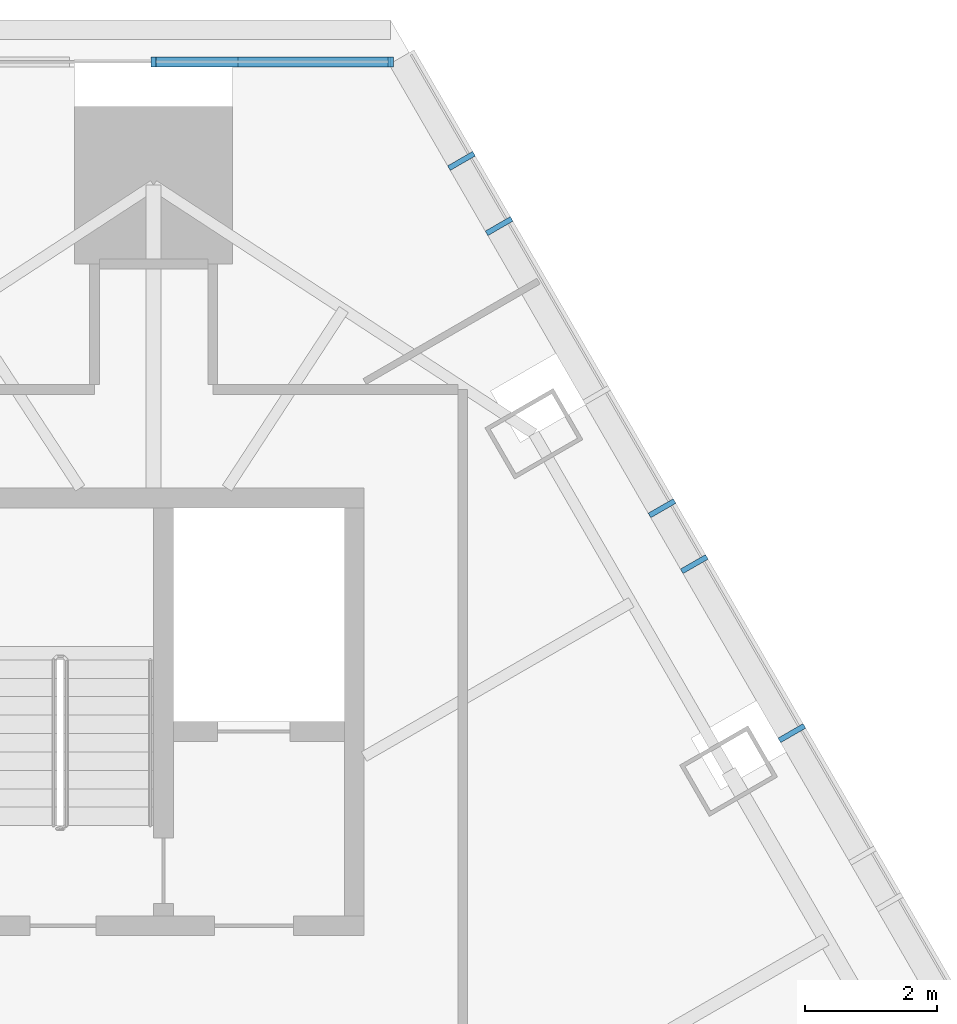
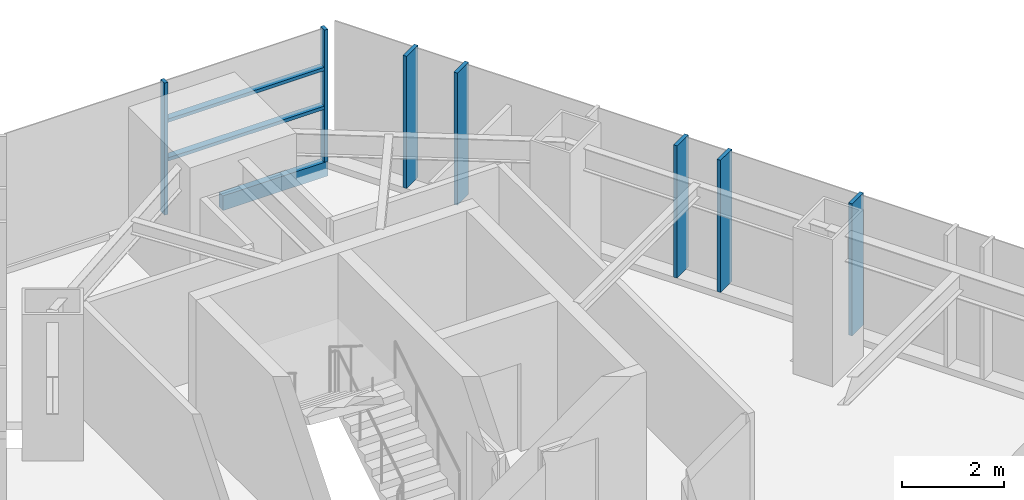
# One storey, part 6 of 15: 10 members, 2 elements without a shape of their own.
"""IFC4 building model written with IfcOpenShell, lengths in metres."""

from ifc_helpers import new_model, si_unit, direction, frame, origin, origin_2d, place, context, subcontext, project, spatial, rectangle, extrude, material, layer, layer_set, material_profile, profile_set, type_object, element, aggregate, save


model = new_model("IFC4")

# Units and contexts
model_context = context("Model", 3, precision=1e-05, world=origin(), true_north=direction((0.0, 1.0)))
body_context = subcontext(model_context, "Body", "Model", "MODEL_VIEW")
ifc_project = project(units=[si_unit("LENGTHUNIT", "METRE"), si_unit("AREAUNIT", "SQUARE_METRE"), si_unit("VOLUMEUNIT", "CUBIC_METRE"), si_unit("PLANEANGLEUNIT", "RADIAN"), si_unit("MASSUNIT", "GRAM", prefix="KILO")], contexts=[model_context])

# Site, building, storey
site_placement = place(None, origin())
site = spatial("IfcSite", under=ifc_project, at=site_placement, CompositionType="ELEMENT")
building_placement = place(site_placement, origin())
building = spatial("IfcBuilding", under=site, at=building_placement, Name="Firuza Gate Tower and Library", CompositionType="ELEMENT")
storey_placement = place(building_placement, frame((0.0, 0.0, 309.10009765625)))
storey = spatial("IfcBuildingStorey", under=building, at=storey_placement, Name="L75", CompositionType="ELEMENT", Elevation=309.10009765625)

# Curtain wall, members
ifc_material_1 = material(Name="Aluminium 6063-T6", Category="aluminium")
ifc_layer_1 = layer(ifc_material_1, 0.14990234375)
ifc_layer_set_1 = layer_set([ifc_layer_1], Name="Corner curtain wall, chamfers")
curtain_wall_type_1 = type_object("IfcCurtainWallType", Name="Corner curtain wall, chamfers", PredefinedType="NOTDEFINED", material=ifc_layer_set_1)
placement = place(storey_placement, origin())
curtain_wall_1 = element("IfcCurtainWall", 1, at=placement, inside=storey, type_object=curtain_wall_type_1, Name="CW4 L75 N corner", PredefinedType="NOTDEFINED")
ifc_material_2 = material(Name="Aluminium 6063-T6", Category="aluminium")
ifc_material_profile_1 = material_profile(ifc_material_2, rectangle(XDim=0.14990234375, YDim=0.080078125, at=origin_2d()))
ifc_profile_set_1 = profile_set([ifc_material_profile_1], Name="Aluminium 6063-T6")
member_type_1 = type_object("IfcMemberType", Name="Curtain wall mullion 80x150", PredefinedType="MULLION", material=ifc_profile_set_1)
member_1_placement = place(storey_placement, frame((78.603271484375, 101.078857421875, 0.14990234375), z_axis=(0.0, 0.0, 1.0), x_axis=(0.0, -1.0, 0.0)))
member_1 = element("IfcMember", 2, at=member_1_placement, type_object=member_type_1, Name="Mullion", PredefinedType="MULLION", context=body_context, shape_type="SweptSolid", body=[
    extrude(rectangle(XDim=0.14990234375, YDim=0.080078125, at=origin_2d()), origin(), (0.0, 0.0, 1.0), 3.14990234375),
])
member_2_placement = place(storey_placement, frame((75.0, 101.078857421875, 0.14990234375), z_axis=(0.0, 0.0, 1.0), x_axis=(0.0, -1.0, 0.0)))
member_2 = element("IfcMember", 3, at=member_2_placement, type_object=member_type_1, Name="Mullion", PredefinedType="MULLION", context=body_context, shape_type="SweptSolid", body=[
    extrude(rectangle(XDim=0.14990234375, YDim=0.080078125, at=origin_2d()), origin(), (0.0, 0.0, 1.0), 3.14990234375),
])

ifc_material_3 = material(Name="Aluminium 6063-T6", Category="aluminium")
ifc_layer_2 = layer(ifc_material_3, 0.14990234375)
ifc_layer_set_2 = layer_set([ifc_layer_2], Name="Unitised curtain wall, residences")
curtain_wall_type_2 = type_object("IfcCurtainWallType", Name="Unitised curtain wall, residences", PredefinedType="NOTDEFINED", material=ifc_layer_set_2)
curtain_wall_2 = element("IfcCurtainWall", 4, at=placement, inside=storey, type_object=curtain_wall_type_2, Name="CW3 L75 E face", PredefinedType="NOTDEFINED")
ifc_material_4 = material(Name="Aluminium 6063-T6", Category="aluminium")
ifc_material_profile_2 = material_profile(ifc_material_4, rectangle(XDim=0.43994140625, YDim=0.080078125, at=origin_2d()))
ifc_profile_set_2 = profile_set([ifc_material_profile_2], Name="Aluminium 6063-T6")
member_type_2 = type_object("IfcMemberType", Name="Curtain wall mullion 80x440", PredefinedType="MULLION", material=ifc_profile_set_2)
member_3_placement = place(storey_placement, frame((84.701171875, 90.876220703125, 0.14990234375), z_axis=(0.0, 0.0, 1.0), x_axis=(-0.866025403784, -0.5, 0.0)))
member_3 = element("IfcMember", 5, at=member_3_placement, type_object=member_type_2, Name="Mullion", PredefinedType="MULLION", context=body_context, shape_type="SweptSolid", body=[
    extrude(rectangle(XDim=0.43994140625, YDim=0.080078125, at=origin_2d()), origin(), (0.0, 0.0, 1.0), 3.14990234375),
])
member_4_placement = place(storey_placement, frame((83.21826171875, 93.445068359375, 0.14990234375), z_axis=(0.0, 0.0, 1.0), x_axis=(-0.866025403784, -0.5, 0.0)))
member_4 = element("IfcMember", 6, at=member_4_placement, type_object=member_type_2, Name="Mullion", PredefinedType="MULLION", context=body_context, shape_type="SweptSolid", body=[
    extrude(rectangle(XDim=0.43994140625, YDim=0.080078125, at=origin_2d()), origin(), (0.0, 0.0, 1.0), 3.14990234375),
])
member_5_placement = place(storey_placement, frame((80.251953125, 98.58251953125, 0.14990234375), z_axis=(0.0, 0.0, 1.0), x_axis=(-0.866025403784, -0.5, 0.0)))
member_5 = element("IfcMember", 7, at=member_5_placement, type_object=member_type_2, Name="Mullion", PredefinedType="MULLION", context=body_context, shape_type="SweptSolid", body=[
    extrude(rectangle(XDim=0.43994140625, YDim=0.080078125, at=origin_2d()), origin(), (0.0, 0.0, 1.0), 3.14990234375),
])
member_6_placement = place(storey_placement, frame((82.727783203125, 94.294189453125, 0.14990234375), z_axis=(0.0, 0.0, 1.0), x_axis=(-0.866025403784, -0.5, 0.0)))
member_6 = element("IfcMember", 8, at=member_6_placement, type_object=member_type_2, Name="Mullion", PredefinedType="MULLION", context=body_context, shape_type="SweptSolid", body=[
    extrude(rectangle(XDim=0.43994140625, YDim=0.080078125, at=origin_2d()), origin(), (0.0, 0.0, 1.0), 3.14990234375),
])
member_7_placement = place(storey_placement, frame((79.679931640625, 99.573486328125, 0.14990234375), z_axis=(0.0, 0.0, 1.0), x_axis=(-0.866025403784, -0.5, 0.0)))
member_7 = element("IfcMember", 9, at=member_7_placement, type_object=member_type_2, Name="Mullion", PredefinedType="MULLION", context=body_context, shape_type="SweptSolid", body=[
    extrude(rectangle(XDim=0.43994140625, YDim=0.080078125, at=origin_2d()), origin(), (0.0, 0.0, 1.0), 3.14990234375),
])
aggregate(curtain_wall_2, [member_3, member_4, member_5, member_6, member_7])

# Member
ifc_material_5 = material(Name="Aluminium 6063-T6", Category="aluminium")
ifc_material_profile_3 = material_profile(ifc_material_5, rectangle(XDim=0.14990234375, YDim=0.35009765625, at=origin_2d()))
ifc_profile_set_3 = profile_set([ifc_material_profile_3], Name="Aluminium 6063-T6")
member_type_3 = type_object("IfcMemberType", Name="Curtain wall transom 350x150", PredefinedType="USERDEFINED", material=ifc_profile_set_3)
member_8_placement = place(storey_placement, frame((78.643310546875, 101.078857421875, -0.025146484375), z_axis=(-1.0, 0.0, 0.0), x_axis=(0.0, -1.0, 0.0)))
member_8 = element("IfcMember", 10, at=member_8_placement, type_object=member_type_3, Name="Transom", ObjectType="TRANSOM", PredefinedType="USERDEFINED", context=body_context, shape_type="SweptSolid", body=[
    extrude(rectangle(XDim=0.14990234375, YDim=0.35009765625, at=origin_2d()), origin(), (0.0, 0.0, 1.0), 2.36328125),
])

ifc_material_6 = material(Name="Aluminium 6063-T6", Category="aluminium")
ifc_material_profile_4 = material_profile(ifc_material_6, rectangle(XDim=0.14990234375, YDim=0.080078125, at=origin_2d()))
ifc_profile_set_4 = profile_set([ifc_material_profile_4], Name="Aluminium 6063-T6")
member_type_4 = type_object("IfcMemberType", Name="Curtain wall transom 80x150", PredefinedType="USERDEFINED", material=ifc_profile_set_4)
member_9_placement = place(storey_placement, frame((78.603271484375, 101.078857421875, 1.449951171875), z_axis=(-1.0, 0.0, 0.0), x_axis=(0.0, -1.0, 0.0)))
member_9 = element("IfcMember", 11, at=member_9_placement, type_object=member_type_4, Name="Transom", ObjectType="TRANSOM", PredefinedType="USERDEFINED", context=body_context, shape_type="SweptSolid", body=[
    extrude(rectangle(XDim=0.14990234375, YDim=0.080078125, at=origin_2d()), origin(), (0.0, 0.0, 1.0), 3.563232421875),
])

member_10_placement = place(storey_placement, frame((78.603271484375, 101.078857421875, 2.375), z_axis=(-1.0, 0.0, 0.0), x_axis=(0.0, -1.0, 0.0)))
member_10 = element("IfcMember", 12, at=member_10_placement, type_object=member_type_4, Name="Transom", ObjectType="TRANSOM", PredefinedType="USERDEFINED", context=body_context, shape_type="SweptSolid", body=[
    extrude(rectangle(XDim=0.14990234375, YDim=0.080078125, at=origin_2d()), origin(), (0.0, 0.0, 1.0), 3.563232421875),
])

aggregate(curtain_wall_1, [member_1, member_2, member_8, member_9, member_10])

save(model, "model.ifc")
